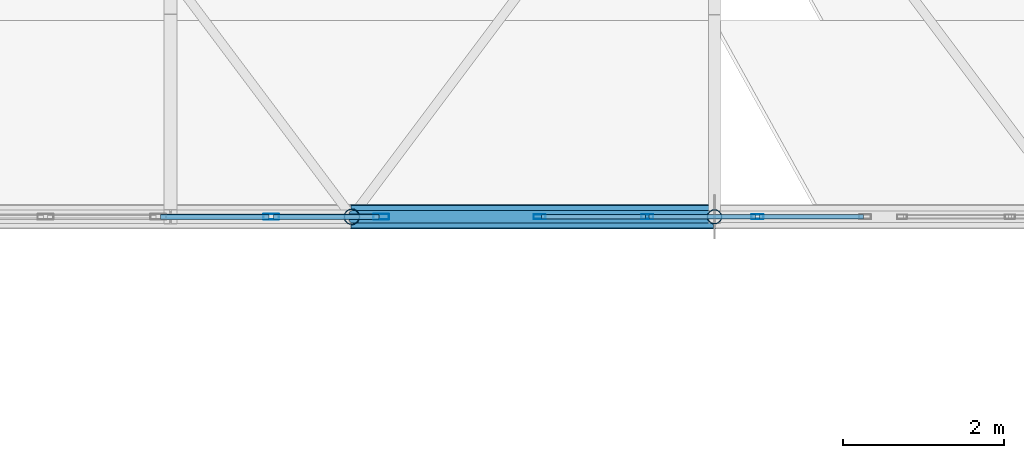
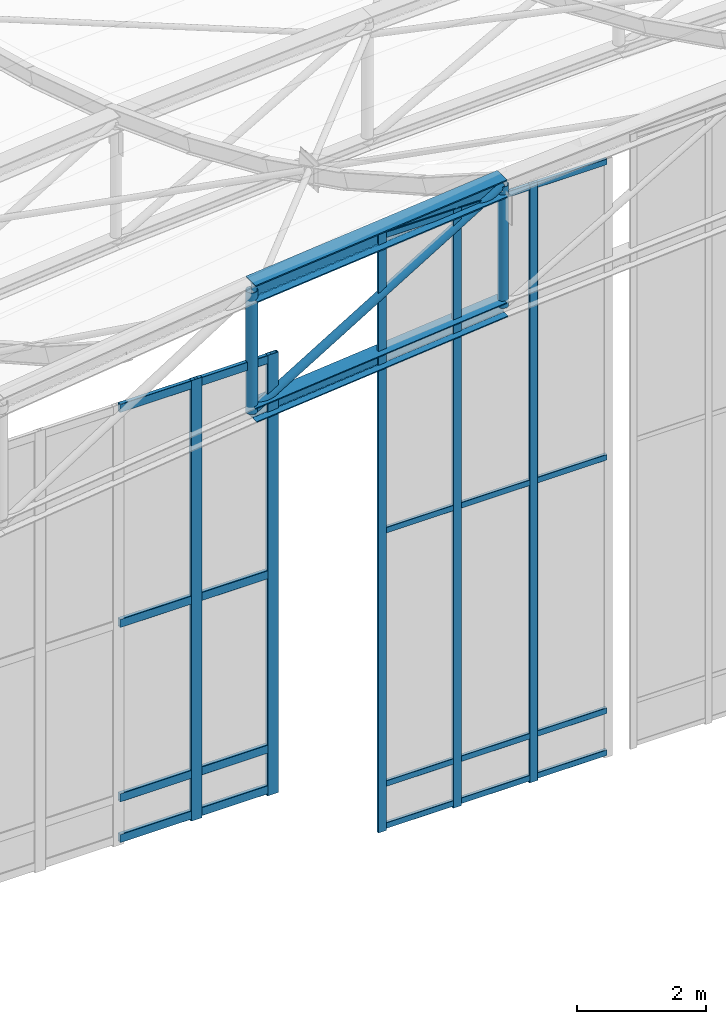
# One storey, part 46 of 262: 30 members, 2 elements without a shape of their own.
"""IFC4 building model written with IfcOpenShell, lengths in metres."""

from ifc_helpers import new_model, si_unit, derived_unit, direction, frame, origin, origin_2d, place, context, subcontext, project, spatial, hollow_rectangle, hollow_circle, i_section, extrude, material, layer, layer_set, material_profile, profile_set, type_object, element, aggregate, save


model = new_model("IFC4")

# Units and contexts
model_context = context("Model", 3, precision=1e-05, world=origin(), true_north=direction((0.0, 1.0)))
body_context = subcontext(model_context, "Body", "Model", "MODEL_VIEW")
ifc_project = project(units=[si_unit("LENGTHUNIT", "METRE"), si_unit("AREAUNIT", "SQUARE_METRE"), si_unit("VOLUMEUNIT", "CUBIC_METRE"), si_unit("PLANEANGLEUNIT", "RADIAN"), si_unit("MASSUNIT", "GRAM", prefix="KILO"), derived_unit("THERMALTRANSMITTANCEUNIT", [(si_unit("POWERUNIT", "WATT"), 1), (si_unit("LENGTHUNIT", "METRE"), -2), (si_unit("THERMODYNAMICTEMPERATUREUNIT", "KELVIN"), -1)])], contexts=[model_context])

# Site, building, storey
site_placement = place(None, origin())
site = spatial("IfcSite", under=ifc_project, at=site_placement, CompositionType="ELEMENT")
building_placement = place(site_placement, origin())
building = spatial("IfcBuilding", under=site, at=building_placement, Name="Almenara Railside Exhibition Hall", CompositionType="ELEMENT")
storey_placement = place(building_placement, frame((0.0, 0.0, 21.699951171875)))
storey = spatial("IfcBuildingStorey", under=building, at=storey_placement, Name="RF", CompositionType="ELEMENT", Elevation=21.699951171875)

# Members
ifc_material_1 = material(Name="Structural steel S355JR", Category="steel")
ifc_material_profile_1 = material_profile(ifc_material_1, i_section(OverallWidth=0.280029296875, OverallDepth=0.280029296875, WebThickness=0.010498046875, FlangeThickness=0.01806640625, FilletRadius=0.02392578125, at=origin_2d()), Name="HEB 280")
ifc_profile_set_1 = profile_set([ifc_material_profile_1], Name="Structural steel S355JR")
member_type_1 = type_object("IfcMemberType", Name="Arched Gable Bottom Chord HEB 280 S355JR", PredefinedType="CHORD", material=ifc_profile_set_1)
member_1_placement = place(storey_placement, frame((21.0, 48.0, 7.822265625), z_axis=(0.995512933083, 0.0, 0.094625578275), x_axis=(0.0, 1.0, 0.0)))
element("IfcMember", 1, at=member_1_placement, inside=storey, type_object=member_type_1, Name="MEM-BC-V1-00-02", PredefinedType="CHORD", context=body_context, shape_type="SweptSolid", body=[
    extrude(i_section(OverallWidth=0.280029296875, OverallDepth=0.280029296875, WebThickness=0.010498046875, FlangeThickness=0.01806640625, FilletRadius=0.02392578125, at=origin_2d()), origin(), (0.0, 0.0, 1.0), 4.520263671875),
])
ifc_material_profile_2 = material_profile(ifc_material_1, i_section(OverallWidth=0.300048828125, OverallDepth=0.340087890625, WebThickness=0.011962890625, FlangeThickness=0.021484375, FilletRadius=0.027099609375, at=origin_2d()), Name="HEB 340")
ifc_profile_set_2 = profile_set([ifc_material_profile_2], Name="Structural steel S355JR")
member_type_2 = type_object("IfcMemberType", Name="Arched Gable Top Chord HEB 340 S355JR", PredefinedType="CHORD", material=ifc_profile_set_2)
member_2_placement = place(storey_placement, frame((21.0, 48.0, 10.122314453125), z_axis=(0.995512933083, 0.0, 0.094625578275), x_axis=(0.0, 1.0, 0.0)))
element("IfcMember", 2, at=member_2_placement, inside=storey, type_object=member_type_2, Name="MEM-TC-V1-00-02", PredefinedType="CHORD", context=body_context, shape_type="SweptSolid", body=[
    extrude(i_section(OverallWidth=0.300048828125, OverallDepth=0.340087890625, WebThickness=0.011962890625, FlangeThickness=0.021484375, FilletRadius=0.027099609375, at=origin_2d()), origin(), (0.0, 0.0, 1.0), 4.520263671875),
])

# Curtain wall, members
ifc_material_2 = material(Name="Bronze-anodised aluminium and low-E double glazing", Category="aluminium")
ifc_layer = layer(ifc_material_2, 0.179931640625, Name="Bronze-anodised aluminium and low-E double glazing")
ifc_layer_set = layer_set([ifc_layer], Name="Bronze-anodised aluminium and low-E double glazing")
curtain_wall_type = type_object("IfcCurtainWallType", Name="Scroll Gable Tall Curtain Wall 3800x5400", PredefinedType="NOTDEFINED", material=ifc_layer_set)
curtain_wall_1_placement = place(storey_placement, origin())
curtain_wall_1 = element("IfcCurtainWall", 3, at=curtain_wall_1_placement, inside=storey, type_object=curtain_wall_type, Name="Curtain wall CW-G1-198", PredefinedType="NOTDEFINED")
ifc_material_3 = material(Name="Bronze-anodised aluminium", Category="aluminium")
ifc_material_profile_3 = material_profile(ifc_material_3, hollow_rectangle(XDim=0.06005859375, YDim=0.14990234375, WallThickness=0.00341796875, InnerFilletRadius=0.00341796875, OuterFilletRadius=0.007080078125, at=origin_2d()), Name="ALU-MUL 60x150x3.5")
ifc_profile_set_3 = profile_set([ifc_material_profile_3], Name="Bronze-anodised aluminium")
member_type_3 = type_object("IfcMemberType", Name="Curtain Wall Mullion 60x150x3.5", PredefinedType="MULLION", material=ifc_profile_set_3)
member_3_placement = place(storey_placement, frame((23.330078125, 48.0, -0.93505859375), z_axis=(0.0, 0.0, 1.0), x_axis=(0.0, 1.0, 0.0)))
member_3 = element("IfcMember", 4, at=member_3_placement, type_object=member_type_3, Name="CW-G1-198 mullion 1", PredefinedType="MULLION", context=body_context, shape_type="SweptSolid", body=[
    extrude(hollow_rectangle(XDim=0.06005859375, YDim=0.14990234375, WallThickness=0.00341796875, InnerFilletRadius=0.00341796875, OuterFilletRadius=0.007080078125, at=origin_2d()), origin(), (0.0, 0.0, 1.0), 11.3251953125),
])
member_4_placement = place(storey_placement, frame((24.666748046875, 48.0, -0.93505859375), z_axis=(0.0, 0.0, 1.0), x_axis=(0.0, 1.0, 0.0)))
member_4 = element("IfcMember", 5, at=member_4_placement, type_object=member_type_3, Name="CW-G1-198 mullion 2", PredefinedType="MULLION", context=body_context, shape_type="SweptSolid", body=[
    extrude(hollow_rectangle(XDim=0.06005859375, YDim=0.14990234375, WallThickness=0.00341796875, InnerFilletRadius=0.00341796875, OuterFilletRadius=0.007080078125, at=origin_2d()), origin(), (0.0, 0.0, 1.0), 11.3251953125),
])
member_5_placement = place(storey_placement, frame((26.033447265625, 48.0, -0.93505859375), z_axis=(0.0, 0.0, 1.0), x_axis=(0.0, 1.0, 0.0)))
member_5 = element("IfcMember", 6, at=member_5_placement, type_object=member_type_3, Name="CW-G1-198 mullion 3", PredefinedType="MULLION", context=body_context, shape_type="SweptSolid", body=[
    extrude(hollow_rectangle(XDim=0.06005859375, YDim=0.14990234375, WallThickness=0.00341796875, InnerFilletRadius=0.00341796875, OuterFilletRadius=0.007080078125, at=origin_2d()), origin(), (0.0, 0.0, 1.0), 11.3251953125),
])

curtain_wall_2_placement = place(storey_placement, origin())
curtain_wall_2 = element("IfcCurtainWall", 7, at=curtain_wall_2_placement, inside=storey, type_object=curtain_wall_type, Name="Curtain wall CW-G1-196", PredefinedType="NOTDEFINED")
ifc_material_profile_4 = material_profile(ifc_material_3, hollow_rectangle(XDim=0.070068359375, YDim=0.199951171875, WallThickness=0.00439453125, InnerFilletRadius=0.00439453125, OuterFilletRadius=0.009033203125, at=origin_2d()), Name="ALU-MUL 70x200x4.5")
ifc_profile_set_4 = profile_set([ifc_material_profile_4], Name="Bronze-anodised aluminium")
member_type_4 = type_object("IfcMemberType", Name="Curtain Wall Mullion 70x200x4.5", PredefinedType="MULLION", material=ifc_profile_set_4)
member_6_placement = place(storey_placement, frame((20.0, 48.0, 0.465087890625), z_axis=(0.0, 0.0, 1.0), x_axis=(0.0, 1.0, 0.0)))
member_6 = element("IfcMember", 8, at=member_6_placement, type_object=member_type_4, Name="CW-G1-196 mullion 6", PredefinedType="MULLION", context=body_context, shape_type="SweptSolid", body=[
    extrude(hollow_rectangle(XDim=0.070068359375, YDim=0.199951171875, WallThickness=0.00439453125, InnerFilletRadius=0.00439453125, OuterFilletRadius=0.009033203125, at=origin_2d()), origin(), (0.0, 0.0, 1.0), 8.3349609375),
])
member_7_placement = place(storey_placement, frame((21.364990234375, 48.0, 0.465087890625), z_axis=(0.0, 0.0, 1.0), x_axis=(0.0, 1.0, 0.0)))
member_7 = element("IfcMember", 9, at=member_7_placement, type_object=member_type_4, Name="CW-G1-196 mullion 7", PredefinedType="MULLION", context=body_context, shape_type="SweptSolid", body=[
    extrude(hollow_rectangle(XDim=0.070068359375, YDim=0.199951171875, WallThickness=0.00439453125, InnerFilletRadius=0.00439453125, OuterFilletRadius=0.009033203125, at=origin_2d()), origin(), (0.0, 0.0, 1.0), 8.3349609375),
])

# Member
ifc_material_profile_5 = material_profile(ifc_material_3, hollow_rectangle(XDim=0.06005859375, YDim=0.110107421875, WallThickness=0.0029296875, InnerFilletRadius=0.0029296875, OuterFilletRadius=0.006103515625, at=origin_2d()), Name="ALU-TRN 60x110x3")
ifc_profile_set_5 = profile_set([ifc_material_profile_5], Name="Bronze-anodised aluminium")
member_type_5 = type_object("IfcMemberType", Name="Curtain Wall Transom 60x110x3", PredefinedType="USERDEFINED", material=ifc_profile_set_5)
member_8_placement = place(storey_placement, frame((23.35205078125, 48.0, -0.844970703125), z_axis=(1.0, 0.0, 0.0), x_axis=(0.0, 1.0, 0.0)))
member_8 = element("IfcMember", 10, at=member_8_placement, type_object=member_type_5, Name="CW-G1-198 transom 1.1", ObjectType="TRANSOM", PredefinedType="USERDEFINED", context=body_context, shape_type="SweptSolid", body=[
    extrude(hollow_rectangle(XDim=0.06005859375, YDim=0.110107421875, WallThickness=0.0029296875, InnerFilletRadius=0.0029296875, OuterFilletRadius=0.006103515625, at=origin_2d()), origin(), (0.0, 0.0, 1.0), 1.292724609375),
])

member_9_placement = place(storey_placement, frame((23.35205078125, 48.0, -0.050048828125), z_axis=(1.0, 0.0, 0.0), x_axis=(0.0, 1.0, 0.0)))
member_9 = element("IfcMember", 11, at=member_9_placement, type_object=member_type_5, Name="CW-G1-198 transom 1.2", ObjectType="TRANSOM", PredefinedType="USERDEFINED", context=body_context, shape_type="SweptSolid", body=[
    extrude(hollow_rectangle(XDim=0.06005859375, YDim=0.110107421875, WallThickness=0.0029296875, InnerFilletRadius=0.0029296875, OuterFilletRadius=0.006103515625, at=origin_2d()), origin(), (0.0, 0.0, 1.0), 1.292724609375),
])

member_10_placement = place(storey_placement, frame((23.35205078125, 48.0, 4.7451171875), z_axis=(1.0, 0.0, 0.0), x_axis=(0.0, 1.0, 0.0)))
member_10 = element("IfcMember", 12, at=member_10_placement, type_object=member_type_5, Name="CW-G1-198 transom 1.3", ObjectType="TRANSOM", PredefinedType="USERDEFINED", context=body_context, shape_type="SweptSolid", body=[
    extrude(hollow_rectangle(XDim=0.06005859375, YDim=0.110107421875, WallThickness=0.0029296875, InnerFilletRadius=0.0029296875, OuterFilletRadius=0.006103515625, at=origin_2d()), origin(), (0.0, 0.0, 1.0), 1.292724609375),
])

member_11_placement = place(storey_placement, frame((23.35205078125, 48.0, 10.3349609375), z_axis=(1.0, 0.0, 0.0), x_axis=(0.0, 1.0, 0.0)))
member_11 = element("IfcMember", 13, at=member_11_placement, type_object=member_type_5, Name="CW-G1-198 transom 1.4", ObjectType="TRANSOM", PredefinedType="USERDEFINED", context=body_context, shape_type="SweptSolid", body=[
    extrude(hollow_rectangle(XDim=0.06005859375, YDim=0.110107421875, WallThickness=0.0029296875, InnerFilletRadius=0.0029296875, OuterFilletRadius=0.006103515625, at=origin_2d()), origin(), (0.0, 0.0, 1.0), 1.292724609375),
])

member_12_placement = place(storey_placement, frame((24.688720703125, 48.0, -0.844970703125), z_axis=(1.0, 0.0, 0.0), x_axis=(0.0, 1.0, 0.0)))
member_12 = element("IfcMember", 14, at=member_12_placement, type_object=member_type_5, Name="CW-G1-198 transom 2.1", ObjectType="TRANSOM", PredefinedType="USERDEFINED", context=body_context, shape_type="SweptSolid", body=[
    extrude(hollow_rectangle(XDim=0.06005859375, YDim=0.110107421875, WallThickness=0.0029296875, InnerFilletRadius=0.0029296875, OuterFilletRadius=0.006103515625, at=origin_2d()), origin(), (0.0, 0.0, 1.0), 1.322509765625),
])

member_13_placement = place(storey_placement, frame((24.688720703125, 48.0, -0.050048828125), z_axis=(1.0, 0.0, 0.0), x_axis=(0.0, 1.0, 0.0)))
member_13 = element("IfcMember", 15, at=member_13_placement, type_object=member_type_5, Name="CW-G1-198 transom 2.2", ObjectType="TRANSOM", PredefinedType="USERDEFINED", context=body_context, shape_type="SweptSolid", body=[
    extrude(hollow_rectangle(XDim=0.06005859375, YDim=0.110107421875, WallThickness=0.0029296875, InnerFilletRadius=0.0029296875, OuterFilletRadius=0.006103515625, at=origin_2d()), origin(), (0.0, 0.0, 1.0), 1.322509765625),
])

member_14_placement = place(storey_placement, frame((24.688720703125, 48.0, 4.7451171875), z_axis=(1.0, 0.0, 0.0), x_axis=(0.0, 1.0, 0.0)))
member_14 = element("IfcMember", 16, at=member_14_placement, type_object=member_type_5, Name="CW-G1-198 transom 2.3", ObjectType="TRANSOM", PredefinedType="USERDEFINED", context=body_context, shape_type="SweptSolid", body=[
    extrude(hollow_rectangle(XDim=0.06005859375, YDim=0.110107421875, WallThickness=0.0029296875, InnerFilletRadius=0.0029296875, OuterFilletRadius=0.006103515625, at=origin_2d()), origin(), (0.0, 0.0, 1.0), 1.322509765625),
])

member_15_placement = place(storey_placement, frame((24.688720703125, 48.0, 10.3349609375), z_axis=(1.0, 0.0, 0.0), x_axis=(0.0, 1.0, 0.0)))
member_15 = element("IfcMember", 17, at=member_15_placement, type_object=member_type_5, Name="CW-G1-198 transom 2.4", ObjectType="TRANSOM", PredefinedType="USERDEFINED", context=body_context, shape_type="SweptSolid", body=[
    extrude(hollow_rectangle(XDim=0.06005859375, YDim=0.110107421875, WallThickness=0.0029296875, InnerFilletRadius=0.0029296875, OuterFilletRadius=0.006103515625, at=origin_2d()), origin(), (0.0, 0.0, 1.0), 1.322509765625),
])

member_16_placement = place(storey_placement, frame((26.055419921875, 48.0, -0.844970703125), z_axis=(1.0, 0.0, 0.0), x_axis=(0.0, 1.0, 0.0)))
member_16 = element("IfcMember", 18, at=member_16_placement, type_object=member_type_5, Name="CW-G1-198 transom 3.1", ObjectType="TRANSOM", PredefinedType="USERDEFINED", context=body_context, shape_type="SweptSolid", body=[
    extrude(hollow_rectangle(XDim=0.06005859375, YDim=0.110107421875, WallThickness=0.0029296875, InnerFilletRadius=0.0029296875, OuterFilletRadius=0.006103515625, at=origin_2d()), origin(), (0.0, 0.0, 1.0), 1.29248046875),
])

member_17_placement = place(storey_placement, frame((26.055419921875, 48.0, -0.050048828125), z_axis=(1.0, 0.0, 0.0), x_axis=(0.0, 1.0, 0.0)))
member_17 = element("IfcMember", 19, at=member_17_placement, type_object=member_type_5, Name="CW-G1-198 transom 3.2", ObjectType="TRANSOM", PredefinedType="USERDEFINED", context=body_context, shape_type="SweptSolid", body=[
    extrude(hollow_rectangle(XDim=0.06005859375, YDim=0.110107421875, WallThickness=0.0029296875, InnerFilletRadius=0.0029296875, OuterFilletRadius=0.006103515625, at=origin_2d()), origin(), (0.0, 0.0, 1.0), 1.29248046875),
])

member_18_placement = place(storey_placement, frame((26.055419921875, 48.0, 4.7451171875), z_axis=(1.0, 0.0, 0.0), x_axis=(0.0, 1.0, 0.0)))
member_18 = element("IfcMember", 20, at=member_18_placement, type_object=member_type_5, Name="CW-G1-198 transom 3.3", ObjectType="TRANSOM", PredefinedType="USERDEFINED", context=body_context, shape_type="SweptSolid", body=[
    extrude(hollow_rectangle(XDim=0.06005859375, YDim=0.110107421875, WallThickness=0.0029296875, InnerFilletRadius=0.0029296875, OuterFilletRadius=0.006103515625, at=origin_2d()), origin(), (0.0, 0.0, 1.0), 1.29248046875),
])

member_19_placement = place(storey_placement, frame((26.055419921875, 48.0, 10.3349609375), z_axis=(1.0, 0.0, 0.0), x_axis=(0.0, 1.0, 0.0)))
member_19 = element("IfcMember", 21, at=member_19_placement, type_object=member_type_5, Name="CW-G1-198 transom 3.4", ObjectType="TRANSOM", PredefinedType="USERDEFINED", context=body_context, shape_type="SweptSolid", body=[
    extrude(hollow_rectangle(XDim=0.06005859375, YDim=0.110107421875, WallThickness=0.0029296875, InnerFilletRadius=0.0029296875, OuterFilletRadius=0.006103515625, at=origin_2d()), origin(), (0.0, 0.0, 1.0), 1.29248046875),
])

aggregate(curtain_wall_1, [member_3, member_4, member_5, member_8, member_9, member_10, member_11, member_12, member_13, member_14, member_15, member_16, member_17, member_18, member_19])

ifc_material_profile_6 = material_profile(ifc_material_3, hollow_rectangle(XDim=0.070068359375, YDim=0.159912109375, WallThickness=0.00390625, InnerFilletRadius=0.00390625, OuterFilletRadius=0.008056640625, at=origin_2d()), Name="ALU-TRN 70x160x4")
ifc_profile_set_6 = profile_set([ifc_material_profile_6], Name="Bronze-anodised aluminium")
member_type_6 = type_object("IfcMemberType", Name="Curtain Wall Transom 70x160x4", PredefinedType="USERDEFINED", material=ifc_profile_set_6)
member_20_placement = place(storey_placement, frame((18.626953125, 48.0, 0.580078125), z_axis=(1.0, 0.0, 0.0), x_axis=(0.0, 1.0, 0.0)))
member_20 = element("IfcMember", 22, at=member_20_placement, type_object=member_type_6, Name="CW-G1-196 transom 5.1", ObjectType="TRANSOM", PredefinedType="USERDEFINED", context=body_context, shape_type="SweptSolid", body=[
    extrude(hollow_rectangle(XDim=0.070068359375, YDim=0.159912109375, WallThickness=0.00390625, InnerFilletRadius=0.00390625, OuterFilletRadius=0.008056640625, at=origin_2d()), origin(), (0.0, 0.0, 1.0), 1.345947265625),
])

member_21_placement = place(storey_placement, frame((18.626953125, 48.0, 1.35009765625), z_axis=(1.0, 0.0, 0.0), x_axis=(0.0, 1.0, 0.0)))
member_21 = element("IfcMember", 23, at=member_21_placement, type_object=member_type_6, Name="CW-G1-196 transom 5.2", ObjectType="TRANSOM", PredefinedType="USERDEFINED", context=body_context, shape_type="SweptSolid", body=[
    extrude(hollow_rectangle(XDim=0.070068359375, YDim=0.159912109375, WallThickness=0.00390625, InnerFilletRadius=0.00390625, OuterFilletRadius=0.008056640625, at=origin_2d()), origin(), (0.0, 0.0, 1.0), 1.345947265625),
])

member_22_placement = place(storey_placement, frame((18.626953125, 48.0, 4.650146484375), z_axis=(1.0, 0.0, 0.0), x_axis=(0.0, 1.0, 0.0)))
member_22 = element("IfcMember", 24, at=member_22_placement, type_object=member_type_6, Name="CW-G1-196 transom 5.3", ObjectType="TRANSOM", PredefinedType="USERDEFINED", context=body_context, shape_type="SweptSolid", body=[
    extrude(hollow_rectangle(XDim=0.070068359375, YDim=0.159912109375, WallThickness=0.00390625, InnerFilletRadius=0.00390625, OuterFilletRadius=0.008056640625, at=origin_2d()), origin(), (0.0, 0.0, 1.0), 1.345947265625),
])

member_23_placement = place(storey_placement, frame((18.626953125, 48.0, 8.719970703125), z_axis=(1.0, 0.0, 0.0), x_axis=(0.0, 1.0, 0.0)))
member_23 = element("IfcMember", 25, at=member_23_placement, type_object=member_type_6, Name="CW-G1-196 transom 5.4", ObjectType="TRANSOM", PredefinedType="USERDEFINED", context=body_context, shape_type="SweptSolid", body=[
    extrude(hollow_rectangle(XDim=0.070068359375, YDim=0.159912109375, WallThickness=0.00390625, InnerFilletRadius=0.00390625, OuterFilletRadius=0.008056640625, at=origin_2d()), origin(), (0.0, 0.0, 1.0), 1.345947265625),
])

member_24_placement = place(storey_placement, frame((20.027099609375, 48.0, 0.580078125), z_axis=(1.0, 0.0, 0.0), x_axis=(0.0, 1.0, 0.0)))
member_24 = element("IfcMember", 26, at=member_24_placement, type_object=member_type_6, Name="CW-G1-196 transom 6.1", ObjectType="TRANSOM", PredefinedType="USERDEFINED", context=body_context, shape_type="SweptSolid", body=[
    extrude(hollow_rectangle(XDim=0.070068359375, YDim=0.159912109375, WallThickness=0.00390625, InnerFilletRadius=0.00390625, OuterFilletRadius=0.008056640625, at=origin_2d()), origin(), (0.0, 0.0, 1.0), 1.310791015625),
])

member_25_placement = place(storey_placement, frame((20.027099609375, 48.0, 1.35009765625), z_axis=(1.0, 0.0, 0.0), x_axis=(0.0, 1.0, 0.0)))
member_25 = element("IfcMember", 27, at=member_25_placement, type_object=member_type_6, Name="CW-G1-196 transom 6.2", ObjectType="TRANSOM", PredefinedType="USERDEFINED", context=body_context, shape_type="SweptSolid", body=[
    extrude(hollow_rectangle(XDim=0.070068359375, YDim=0.159912109375, WallThickness=0.00390625, InnerFilletRadius=0.00390625, OuterFilletRadius=0.008056640625, at=origin_2d()), origin(), (0.0, 0.0, 1.0), 1.310791015625),
])

member_26_placement = place(storey_placement, frame((20.027099609375, 48.0, 4.650146484375), z_axis=(1.0, 0.0, 0.0), x_axis=(0.0, 1.0, 0.0)))
member_26 = element("IfcMember", 28, at=member_26_placement, type_object=member_type_6, Name="CW-G1-196 transom 6.3", ObjectType="TRANSOM", PredefinedType="USERDEFINED", context=body_context, shape_type="SweptSolid", body=[
    extrude(hollow_rectangle(XDim=0.070068359375, YDim=0.159912109375, WallThickness=0.00390625, InnerFilletRadius=0.00390625, OuterFilletRadius=0.008056640625, at=origin_2d()), origin(), (0.0, 0.0, 1.0), 1.310791015625),
])

member_27_placement = place(storey_placement, frame((20.027099609375, 48.0, 8.719970703125), z_axis=(1.0, 0.0, 0.0), x_axis=(0.0, 1.0, 0.0)))
member_27 = element("IfcMember", 29, at=member_27_placement, type_object=member_type_6, Name="CW-G1-196 transom 6.4", ObjectType="TRANSOM", PredefinedType="USERDEFINED", context=body_context, shape_type="SweptSolid", body=[
    extrude(hollow_rectangle(XDim=0.070068359375, YDim=0.159912109375, WallThickness=0.00390625, InnerFilletRadius=0.00390625, OuterFilletRadius=0.008056640625, at=origin_2d()), origin(), (0.0, 0.0, 1.0), 1.310791015625),
])

aggregate(curtain_wall_2, [member_6, member_7, member_20, member_21, member_22, member_23, member_24, member_25, member_26, member_27])

# Members
ifc_material_profile_7 = material_profile(ifc_material_1, hollow_circle(Radius=0.076171875, WallThickness=0.0048828125, at=origin_2d()), Name="CHS 152.4x5")
ifc_profile_set_7 = profile_set([ifc_material_profile_7], Name="Structural steel S355JR")
member_type_7 = type_object("IfcMemberType", Name="Truss Mid Diagonal CHS 152.4x5 S355JR", PredefinedType="BRACE", material=ifc_profile_set_7)
member_28_placement = place(storey_placement, frame((21.0, 48.0, 7.822265625), z_axis=(0.855154829777, 0.0, 0.518372662386), x_axis=(0.0, 1.0, 0.0)))
element("IfcMember", 30, at=member_28_placement, inside=storey, type_object=member_type_7, Name="MEM-TD-V1-00-02", PredefinedType="BRACE", context=body_context, shape_type="SweptSolid", body=[
    extrude(hollow_circle(Radius=0.076171875, WallThickness=0.0048828125, at=origin_2d()), origin(), (0.0, 0.0, 1.0), 5.26220703125),
])
ifc_material_profile_8 = material_profile(ifc_material_1, hollow_circle(Radius=0.0888671875, WallThickness=0.006103515625, at=origin_2d()), Name="CHS 177.8x6")
ifc_profile_set_8 = profile_set([ifc_material_profile_8], Name="Structural steel S355JR")
member_type_8 = type_object("IfcMemberType", Name="Truss Quarter Vertical Strut CHS 177.8x6 S355JR", PredefinedType="BRACE", material=ifc_profile_set_8)
member_29_placement = place(storey_placement, frame((25.5, 48.0, 8.25), z_axis=(0.0, 0.0, 1.0), x_axis=(1.0, 0.0, 0.0)))
element("IfcMember", 31, at=member_29_placement, inside=storey, type_object=member_type_8, Name="MEM-TV-V1-00-03", PredefinedType="BRACE", context=body_context, shape_type="SweptSolid", body=[
    extrude(hollow_circle(Radius=0.0888671875, WallThickness=0.006103515625, at=origin_2d()), origin(), (0.0, 0.0, 1.0), 2.300048828125),
])
ifc_material_profile_9 = material_profile(ifc_material_1, hollow_circle(Radius=0.096923828125, WallThickness=0.00634765625, at=origin_2d()), Name="CHS 193.7x6.3")
ifc_profile_set_9 = profile_set([ifc_material_profile_9], Name="Structural steel S355JR")
member_type_9 = type_object("IfcMemberType", Name="Truss Standard Vertical Strut CHS 193.7x6.3 S355JR", PredefinedType="BRACE", material=ifc_profile_set_9)
member_30_placement = place(storey_placement, frame((21.0, 48.0, 7.822265625), z_axis=(0.0, 0.0, 1.0), x_axis=(1.0, 0.0, 0.0)))
element("IfcMember", 32, at=member_30_placement, inside=storey, type_object=member_type_9, Name="MEM-TV-V1-00-02", PredefinedType="BRACE", context=body_context, shape_type="SweptSolid", body=[
    extrude(hollow_circle(Radius=0.096923828125, WallThickness=0.00634765625, at=origin_2d()), origin(), (0.0, 0.0, 1.0), 2.300048828125),
])

save(model, "model.ifc")
